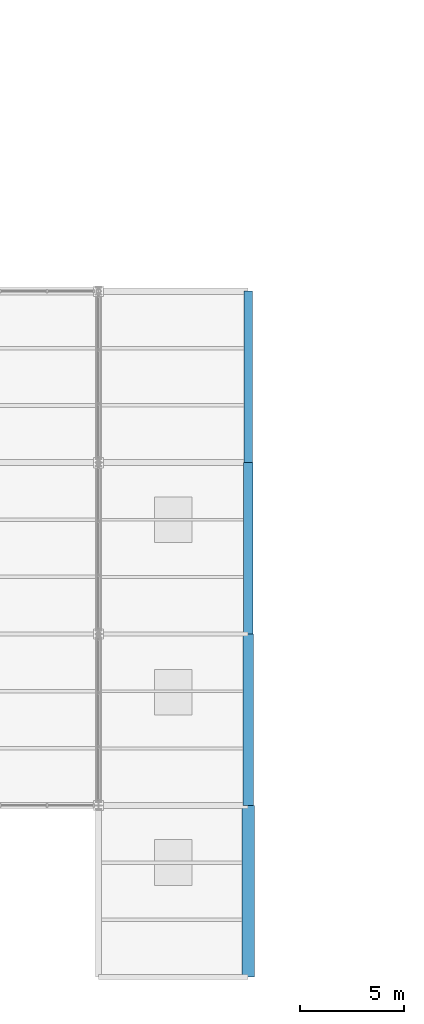
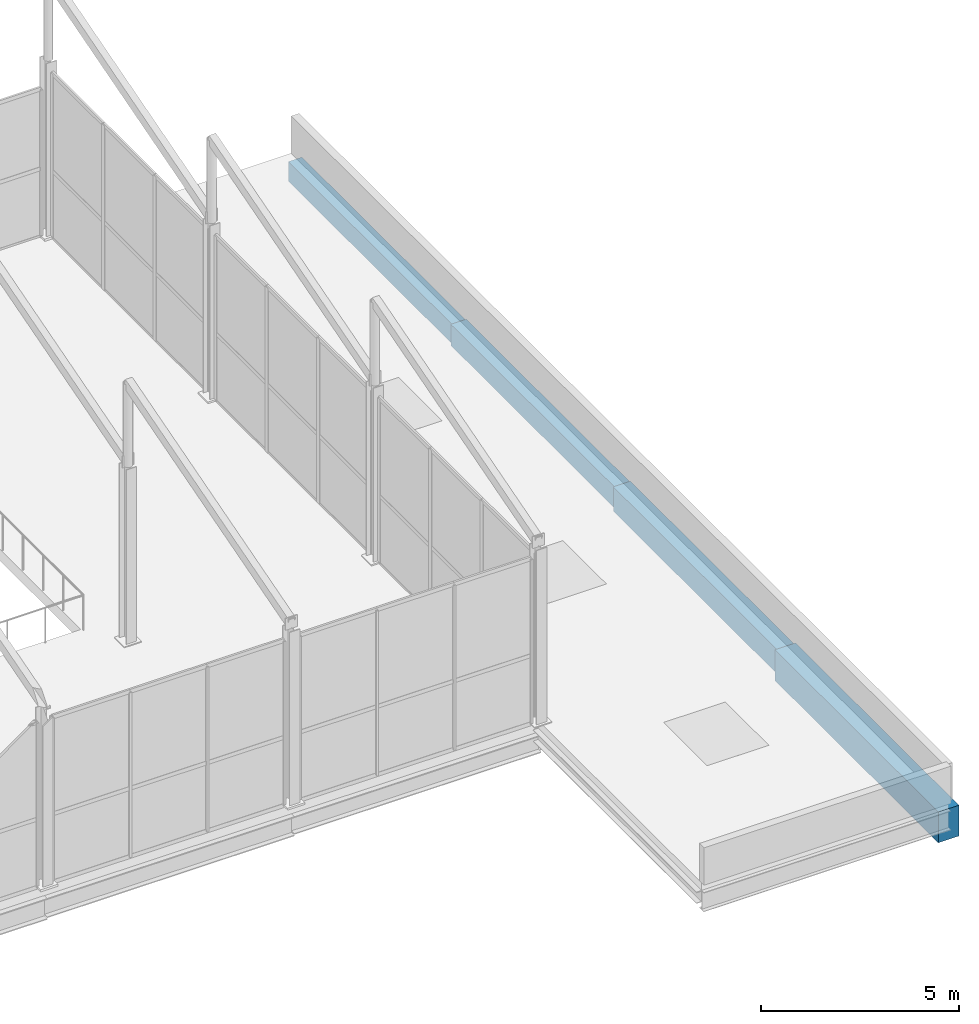
# One storey, part 72 of 141: 4 beams.
"""IFC4 building model written with IfcOpenShell, lengths in metres."""

from ifc_helpers import new_model, si_unit, direction, frame, origin, origin_2d, place, context, subcontext, project, spatial, rectangle, extrude, material, material_profile, profile_set, type_object, element, save


model = new_model("IFC4")

# Units and contexts
model_context = context("Model", 3, precision=1e-05, world=origin(), true_north=direction((0.0, 1.0)))
body_context = subcontext(model_context, "Body", "Model", "MODEL_VIEW")
ifc_project = project(units=[si_unit("LENGTHUNIT", "METRE"), si_unit("AREAUNIT", "SQUARE_METRE"), si_unit("VOLUMEUNIT", "CUBIC_METRE"), si_unit("PLANEANGLEUNIT", "RADIAN"), si_unit("MASSUNIT", "GRAM", prefix="KILO")], contexts=[model_context])

# Site, building, storey
site_placement = place(None, origin())
site = spatial("IfcSite", under=ifc_project, at=site_placement, CompositionType="ELEMENT")
building_placement = place(site_placement, origin())
building = spatial("IfcBuilding", under=site, at=building_placement, Name="Sundgate Opera House", CompositionType="ELEMENT")
storey_placement = place(building_placement, frame((0.0, 0.0, 11.39990234375)))
storey = spatial("IfcBuildingStorey", under=building, at=storey_placement, Name="L02", CompositionType="ELEMENT", Elevation=11.39990234375)

# Beams
ifc_material_1 = material(Name="Concrete C35/45", Category="concrete")
ifc_material_profile_1 = material_profile(ifc_material_1, rectangle(XDim=0.39990234375, YDim=0.60009765625, at=origin_2d()), Name="RC 400x600")
ifc_profile_set_1 = profile_set([ifc_material_profile_1], Name="Concrete C35/45")
beam_type_1 = type_object("IfcBeamType", Name="BM-RC-400x600", PredefinedType="BEAM", material=ifc_profile_set_1)
beam_1_placement = place(storey_placement, frame((160.199951171875, 24.75, -0.52978515625), z_axis=(0.0, 1.0, 0.0), x_axis=(-1.0, 0.0, 0.0)))
element("IfcBeam", 1, at=beam_1_placement, inside=storey, type_object=beam_type_1, Name="L02 Primary N-S Girder B1943", PredefinedType="BEAM", context=body_context, shape_type="SweptSolid", body=[
    extrude(rectangle(XDim=0.39990234375, YDim=0.60009765625, at=origin_2d()), origin(), (0.0, 0.0, 1.0), 8.25),
])
ifc_material_2 = material(Name="Concrete C35/45", Category="concrete")
ifc_material_profile_2 = material_profile(ifc_material_2, rectangle(XDim=0.449951171875, YDim=0.64990234375, at=origin_2d()), Name="RC 450x650")
ifc_profile_set_2 = profile_set([ifc_material_profile_2], Name="Concrete C35/45")
beam_type_2 = type_object("IfcBeamType", Name="BM-RC-450x650", PredefinedType="BEAM", material=ifc_profile_set_2)
beam_2_placement = place(storey_placement, frame((160.199951171875, 16.5, -0.554931640625), z_axis=(0.0, 1.0, 0.0), x_axis=(-1.0, 0.0, 0.0)))
element("IfcBeam", 2, at=beam_2_placement, inside=storey, type_object=beam_type_2, Name="L02 Primary N-S Girder B1942", PredefinedType="BEAM", context=body_context, shape_type="SweptSolid", body=[
    extrude(rectangle(XDim=0.449951171875, YDim=0.64990234375, at=origin_2d()), origin(), (0.0, 0.0, 1.0), 8.25),
])
ifc_material_3 = material(Name="Concrete C40/50", Category="concrete")
ifc_material_profile_3 = material_profile(ifc_material_3, rectangle(XDim=0.5, YDim=0.75, at=origin_2d()), Name="RC 500x750")
ifc_profile_set_3 = profile_set([ifc_material_profile_3], Name="Concrete C40/50")
beam_type_3 = type_object("IfcBeamType", Name="BM-RC-500x750", PredefinedType="BEAM", material=ifc_profile_set_3)
beam_3_placement = place(storey_placement, frame((160.199951171875, 8.25, -0.60498046875), z_axis=(0.0, 1.0, 0.0), x_axis=(-1.0, 0.0, 0.0)))
element("IfcBeam", 3, at=beam_3_placement, inside=storey, type_object=beam_type_3, Name="L02 Primary N-S Girder B1941", PredefinedType="BEAM", context=body_context, shape_type="SweptSolid", body=[
    extrude(rectangle(XDim=0.5, YDim=0.75, at=origin_2d()), origin(), (0.0, 0.0, 1.0), 8.25),
])
ifc_material_4 = material(Name="Concrete C40/50", Category="concrete")
ifc_material_profile_4 = material_profile(ifc_material_4, rectangle(XDim=0.60009765625, YDim=0.949951171875, at=origin_2d()), Name="RC 600x950")
ifc_profile_set_4 = profile_set([ifc_material_profile_4], Name="Concrete C40/50")
beam_type_4 = type_object("IfcBeamType", Name="BM-RC-600x950", PredefinedType="BEAM", material=ifc_profile_set_4)
beam_4_placement = place(storey_placement, frame((160.199951171875, 0.0, -0.704833984375), z_axis=(0.0, 1.0, 0.0), x_axis=(-1.0, 0.0, 0.0)))
element("IfcBeam", 4, at=beam_4_placement, inside=storey, type_object=beam_type_4, Name="L02 Primary N-S Girder B1940", PredefinedType="BEAM", context=body_context, shape_type="SweptSolid", body=[
    extrude(rectangle(XDim=0.60009765625, YDim=0.949951171875, at=origin_2d()), origin(), (0.0, 0.0, 1.0), 8.25),
])

save(model, "model.ifc")
